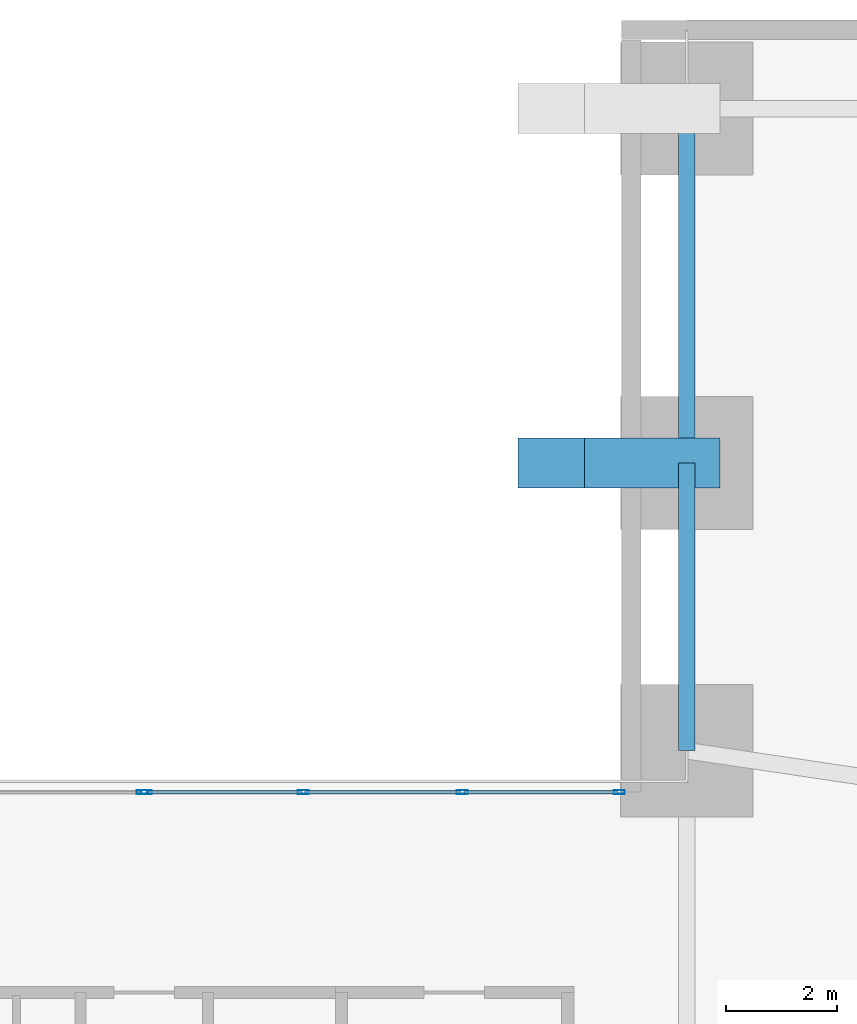
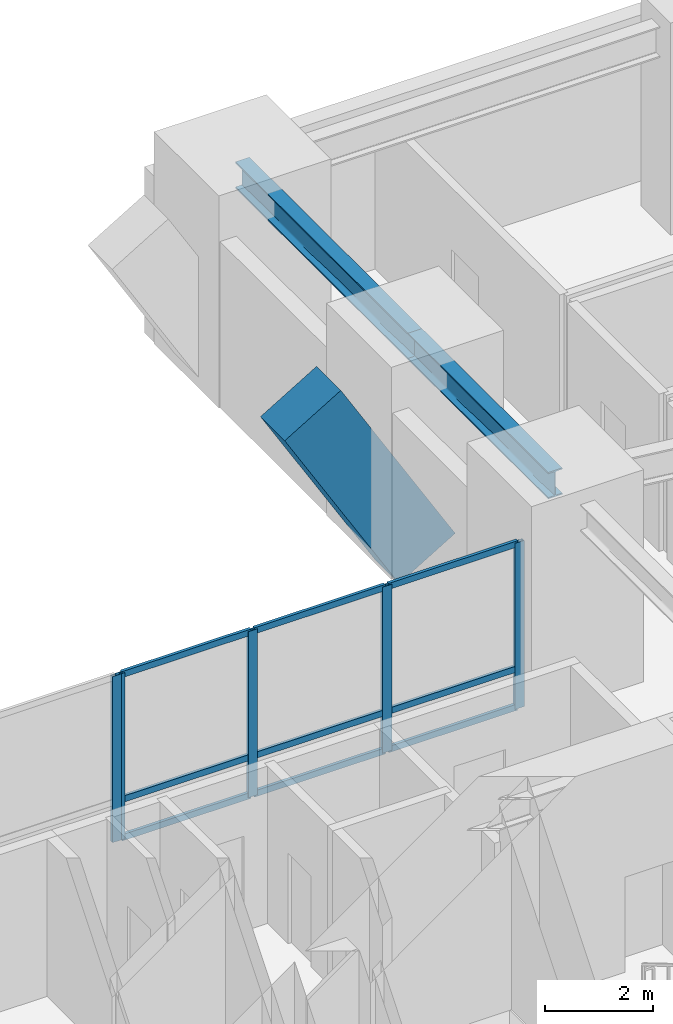
# One storey, part 8 of 14: 14 members, 3 beams, 2 elements without a shape of their own.
"""IFC4 building model written with IfcOpenShell, lengths in metres."""

from ifc_helpers import new_model, si_unit, direction, frame, origin, origin_2d, place, context, subcontext, project, spatial, rectangle, hollow_rectangle, i_section, extrude, material, layer, layer_set, material_profile, profile_set, type_object, element, aggregate, save


model = new_model("IFC4")

# Units and contexts
model_context = context("Model", 3, precision=1e-05, world=origin(), true_north=direction((0.0, 1.0)))
body_context = subcontext(model_context, "Body", "Model", "MODEL_VIEW")
ifc_project = project(units=[si_unit("LENGTHUNIT", "METRE"), si_unit("AREAUNIT", "SQUARE_METRE"), si_unit("VOLUMEUNIT", "CUBIC_METRE"), si_unit("PLANEANGLEUNIT", "RADIAN"), si_unit("MASSUNIT", "GRAM", prefix="KILO"), si_unit("THERMODYNAMICTEMPERATUREUNIT", "KELVIN"), si_unit("POWERUNIT", "WATT")], contexts=[model_context])

# Site, building, storey
site_placement = place(None, origin())
site = spatial("IfcSite", under=ifc_project, at=site_placement, CompositionType="ELEMENT")
building_placement = place(site_placement, origin())
building = spatial("IfcBuilding", under=site, at=building_placement, Name="Ocrelia Relay Tower", CompositionType="ELEMENT")
storey_placement = place(building_placement, frame((0.0, 0.0, 5.39990234375)))
storey = spatial("IfcBuildingStorey", under=building, at=storey_placement, Name="L01", CompositionType="ELEMENT", Elevation=5.39990234375)

# Beams
ifc_material_1 = material(Name="Concrete C70/85", Category="concrete")
ifc_material_profile_1 = material_profile(ifc_material_1, rectangle(XDim=0.89990234375, YDim=1.39990234375, at=origin_2d()), Name="RC-BM-900x1400")
ifc_profile_set_1 = profile_set([ifc_material_profile_1], Name="Concrete C70/85")
beam_type_1 = type_object("IfcBeamType", Name="BM-ARCH-RIB", PredefinedType="USERDEFINED", material=ifc_profile_set_1)
beam_1_placement = place(storey_placement, frame((41.35009765625, 44.0, 3.69287109375), z_axis=(0.513614846674, 0.0, -0.858020855968), x_axis=(0.0, 1.0, 0.0)))
element("IfcBeam", 1, at=beam_1_placement, inside=storey, type_object=beam_type_1, Name="Monumental Portal Arch Rib N2 Seg 8", ObjectType="PORTAL ARCH", PredefinedType="USERDEFINED", context=body_context, shape_type="SweptSolid", body=[
    extrude(rectangle(XDim=0.89990234375, YDim=1.39990234375, at=origin_2d()), origin(), (0.0, 0.0, 1.0), 4.77001953125),
])
ifc_material_2 = material(Name="Steel S355", Category="steel")
ifc_material_profile_2 = material_profile(ifc_material_2, i_section(OverallWidth=0.300048828125, OverallDepth=0.60009765625, WebThickness=0.015380859375, FlangeThickness=0.030029296875, FilletRadius=0.027099609375, at=origin_2d()), Name="HEB 600")
ifc_profile_set_2 = profile_set([ifc_material_profile_2], Name="Steel S355")
beam_type_2 = type_object("IfcBeamType", Name="BM-HEB600", PredefinedType="BEAM", material=ifc_profile_set_2)
beam_2_placement = place(storey_placement, frame((43.800048828125, 38.800048828125, 4.18017578125), z_axis=(0.0, 1.0, 0.0), x_axis=(-1.0, 0.0, 0.0)))
element("IfcBeam", 2, at=beam_2_placement, inside=storey, type_object=beam_type_2, Name="L01 Pier Line Tie Girder AE-4", PredefinedType="BEAM", context=body_context, shape_type="SweptSolid", body=[
    extrude(i_section(OverallWidth=0.300048828125, OverallDepth=0.60009765625, WebThickness=0.015380859375, FlangeThickness=0.030029296875, FilletRadius=0.027099609375, at=origin_2d()), origin(), (0.0, 0.0, 1.0), 5.199951171875),
])
beam_3_placement = place(storey_placement, frame((43.800048828125, 44.0, 4.18017578125), z_axis=(0.0, 1.0, 0.0), x_axis=(-1.0, 0.0, 0.0)))
element("IfcBeam", 3, at=beam_3_placement, inside=storey, type_object=beam_type_2, Name="L01 Pier Line Tie Girder AE-5", PredefinedType="BEAM", context=body_context, shape_type="SweptSolid", body=[
    extrude(i_section(OverallWidth=0.300048828125, OverallDepth=0.60009765625, WebThickness=0.015380859375, FlangeThickness=0.030029296875, FilletRadius=0.027099609375, at=origin_2d()), origin(), (0.0, 0.0, 1.0), 6.39990234375),
])

# Curtain wall, member
ifc_material_3 = material(Name="Aluminium and solar-control low-E glass", Category="aluminium")
ifc_layer = layer(ifc_material_3, 0.179931640625, Name="Aluminium and solar-control low-E glass")
ifc_layer_set = layer_set([ifc_layer], Name="Aluminium and solar-control low-E glass")
curtain_wall_type = type_object("IfcCurtainWallType", Name="CW-SYS-POD-ARCH", PredefinedType="NOTDEFINED", material=ifc_layer_set)
curtain_wall_1_placement = place(storey_placement, origin())
curtain_wall_1 = element("IfcCurtainWall", 4, at=curtain_wall_1_placement, inside=storey, type_object=curtain_wall_type, Name="L01 North Portal Concourse Glazed Screen West", PredefinedType="NOTDEFINED")
ifc_material_4 = material(Name="Anodised bronze aluminium", Category="aluminium")
ifc_material_profile_3 = material_profile(ifc_material_4, hollow_rectangle(XDim=0.074951171875, YDim=0.199951171875, WallThickness=0.006103515625, at=origin_2d()), Name="CW-MUL-200x75")
ifc_profile_set_3 = profile_set([ifc_material_profile_3], Name="Anodised bronze aluminium")
member_type_1 = type_object("IfcMemberType", Name="CW-SYS-POD-ARCH-MUL", PredefinedType="MULLION", material=ifc_profile_set_3)
member_1_placement = place(storey_placement, frame((33.96240234375, 38.050048828125, 0.0), z_axis=(0.0, 0.0, 1.0), x_axis=(0.0, 1.0, 0.0)))
member_1 = element("IfcMember", 5, at=member_1_placement, type_object=member_type_1, Name="CW-PA mullion 4", PredefinedType="MULLION", context=body_context, shape_type="SweptSolid", body=[
    extrude(hollow_rectangle(XDim=0.074951171875, YDim=0.199951171875, WallThickness=0.006103515625, at=origin_2d()), origin(), (0.0, 0.0, 1.0), 3.760009765625),
])
aggregate(curtain_wall_1, [member_1])

# Curtain wall, members
curtain_wall_2_placement = place(storey_placement, origin())
curtain_wall_2 = element("IfcCurtainWall", 6, at=curtain_wall_2_placement, inside=storey, type_object=curtain_wall_type, Name="L01 North Portal Concourse Glazed Screen East", PredefinedType="NOTDEFINED")
member_2_placement = place(storey_placement, frame((34.03759765625, 38.050048828125, 0.0), z_axis=(0.0, 0.0, 1.0), x_axis=(0.0, 1.0, 0.0)))
member_2 = element("IfcMember", 7, at=member_2_placement, type_object=member_type_1, Name="CW-PA mullion 1", PredefinedType="MULLION", context=body_context, shape_type="SweptSolid", body=[
    extrude(hollow_rectangle(XDim=0.074951171875, YDim=0.199951171875, WallThickness=0.006103515625, at=origin_2d()), origin(), (0.0, 0.0, 1.0), 3.760009765625),
])
member_3_placement = place(storey_placement, frame((36.873291015625, 38.050048828125, 0.0), z_axis=(0.0, 0.0, 1.0), x_axis=(0.0, 1.0, 0.0)))
member_3 = element("IfcMember", 8, at=member_3_placement, type_object=member_type_1, Name="CW-PA mullion 2", PredefinedType="MULLION", context=body_context, shape_type="SweptSolid", body=[
    extrude(hollow_rectangle(XDim=0.074951171875, YDim=0.199951171875, WallThickness=0.006103515625, at=origin_2d()), origin(), (0.0, 0.0, 1.0), 3.760009765625),
])
member_4_placement = place(storey_placement, frame((39.74658203125, 38.050048828125, 0.0), z_axis=(0.0, 0.0, 1.0), x_axis=(0.0, 1.0, 0.0)))
member_4 = element("IfcMember", 9, at=member_4_placement, type_object=member_type_1, Name="CW-PA mullion 3", PredefinedType="MULLION", context=body_context, shape_type="SweptSolid", body=[
    extrude(hollow_rectangle(XDim=0.074951171875, YDim=0.199951171875, WallThickness=0.006103515625, at=origin_2d()), origin(), (0.0, 0.0, 1.0), 3.760009765625),
])
member_5_placement = place(storey_placement, frame((42.58251953125, 38.050048828125, 0.0), z_axis=(0.0, 0.0, 1.0), x_axis=(0.0, 1.0, 0.0)))
member_5 = element("IfcMember", 10, at=member_5_placement, type_object=member_type_1, Name="CW-PA mullion 4", PredefinedType="MULLION", context=body_context, shape_type="SweptSolid", body=[
    extrude(hollow_rectangle(XDim=0.074951171875, YDim=0.199951171875, WallThickness=0.006103515625, at=origin_2d()), origin(), (0.0, 0.0, 1.0), 3.760009765625),
])
ifc_material_profile_4 = material_profile(ifc_material_4, hollow_rectangle(XDim=0.06494140625, YDim=0.139892578125, WallThickness=0.0048828125, at=origin_2d()), Name="CW-TRN-140x65")
ifc_profile_set_4 = profile_set([ifc_material_profile_4], Name="Anodised bronze aluminium")
member_type_2 = type_object("IfcMemberType", Name="CW-SYS-POD-ARCH-TRN", PredefinedType="USERDEFINED", material=ifc_profile_set_4)
member_6_placement = place(storey_placement, frame((34.074951171875, 38.050048828125, 0.03271484375), z_axis=(1.0, 0.0, 0.0), x_axis=(0.0, 1.0, 0.0)))
member_6 = element("IfcMember", 11, at=member_6_placement, type_object=member_type_2, Name="CW-PA transom 1.1", ObjectType="TRANSOM", PredefinedType="USERDEFINED", context=body_context, shape_type="SweptSolid", body=[
    extrude(hollow_rectangle(XDim=0.06494140625, YDim=0.139892578125, WallThickness=0.0048828125, at=origin_2d()), origin(), (0.0, 0.0, 1.0), 2.760986328125),
])
member_7_placement = place(storey_placement, frame((34.074951171875, 38.050048828125, 0.900146484375), z_axis=(1.0, 0.0, 0.0), x_axis=(0.0, 1.0, 0.0)))
member_7 = element("IfcMember", 12, at=member_7_placement, type_object=member_type_2, Name="CW-PA transom 1.2", ObjectType="TRANSOM", PredefinedType="USERDEFINED", context=body_context, shape_type="SweptSolid", body=[
    extrude(hollow_rectangle(XDim=0.06494140625, YDim=0.139892578125, WallThickness=0.0048828125, at=origin_2d()), origin(), (0.0, 0.0, 1.0), 2.760986328125),
])
member_8_placement = place(storey_placement, frame((34.074951171875, 38.050048828125, 3.7275390625), z_axis=(1.0, 0.0, 0.0), x_axis=(0.0, 1.0, 0.0)))
member_8 = element("IfcMember", 13, at=member_8_placement, type_object=member_type_2, Name="CW-PA transom 1.3", ObjectType="TRANSOM", PredefinedType="USERDEFINED", context=body_context, shape_type="SweptSolid", body=[
    extrude(hollow_rectangle(XDim=0.06494140625, YDim=0.139892578125, WallThickness=0.0048828125, at=origin_2d()), origin(), (0.0, 0.0, 1.0), 2.760986328125),
])
member_9_placement = place(storey_placement, frame((36.910888671875, 38.050048828125, 0.03271484375), z_axis=(1.0, 0.0, 0.0), x_axis=(0.0, 1.0, 0.0)))
member_9 = element("IfcMember", 14, at=member_9_placement, type_object=member_type_2, Name="CW-PA transom 2.1", ObjectType="TRANSOM", PredefinedType="USERDEFINED", context=body_context, shape_type="SweptSolid", body=[
    extrude(hollow_rectangle(XDim=0.06494140625, YDim=0.139892578125, WallThickness=0.0048828125, at=origin_2d()), origin(), (0.0, 0.0, 1.0), 2.79833984375),
])
member_10_placement = place(storey_placement, frame((36.910888671875, 38.050048828125, 0.900146484375), z_axis=(1.0, 0.0, 0.0), x_axis=(0.0, 1.0, 0.0)))
member_10 = element("IfcMember", 15, at=member_10_placement, type_object=member_type_2, Name="CW-PA transom 2.2", ObjectType="TRANSOM", PredefinedType="USERDEFINED", context=body_context, shape_type="SweptSolid", body=[
    extrude(hollow_rectangle(XDim=0.06494140625, YDim=0.139892578125, WallThickness=0.0048828125, at=origin_2d()), origin(), (0.0, 0.0, 1.0), 2.79833984375),
])
member_11_placement = place(storey_placement, frame((36.910888671875, 38.050048828125, 3.7275390625), z_axis=(1.0, 0.0, 0.0), x_axis=(0.0, 1.0, 0.0)))
member_11 = element("IfcMember", 16, at=member_11_placement, type_object=member_type_2, Name="CW-PA transom 2.3", ObjectType="TRANSOM", PredefinedType="USERDEFINED", context=body_context, shape_type="SweptSolid", body=[
    extrude(hollow_rectangle(XDim=0.06494140625, YDim=0.139892578125, WallThickness=0.0048828125, at=origin_2d()), origin(), (0.0, 0.0, 1.0), 2.79833984375),
])
member_12_placement = place(storey_placement, frame((39.7841796875, 38.050048828125, 0.03271484375), z_axis=(1.0, 0.0, 0.0), x_axis=(0.0, 1.0, 0.0)))
member_12 = element("IfcMember", 17, at=member_12_placement, type_object=member_type_2, Name="CW-PA transom 3.1", ObjectType="TRANSOM", PredefinedType="USERDEFINED", context=body_context, shape_type="SweptSolid", body=[
    extrude(hollow_rectangle(XDim=0.06494140625, YDim=0.139892578125, WallThickness=0.0048828125, at=origin_2d()), origin(), (0.0, 0.0, 1.0), 2.7607421875),
])
member_13_placement = place(storey_placement, frame((39.7841796875, 38.050048828125, 0.900146484375), z_axis=(1.0, 0.0, 0.0), x_axis=(0.0, 1.0, 0.0)))
member_13 = element("IfcMember", 18, at=member_13_placement, type_object=member_type_2, Name="CW-PA transom 3.2", ObjectType="TRANSOM", PredefinedType="USERDEFINED", context=body_context, shape_type="SweptSolid", body=[
    extrude(hollow_rectangle(XDim=0.06494140625, YDim=0.139892578125, WallThickness=0.0048828125, at=origin_2d()), origin(), (0.0, 0.0, 1.0), 2.7607421875),
])
member_14_placement = place(storey_placement, frame((39.7841796875, 38.050048828125, 3.7275390625), z_axis=(1.0, 0.0, 0.0), x_axis=(0.0, 1.0, 0.0)))
member_14 = element("IfcMember", 19, at=member_14_placement, type_object=member_type_2, Name="CW-PA transom 3.3", ObjectType="TRANSOM", PredefinedType="USERDEFINED", context=body_context, shape_type="SweptSolid", body=[
    extrude(hollow_rectangle(XDim=0.06494140625, YDim=0.139892578125, WallThickness=0.0048828125, at=origin_2d()), origin(), (0.0, 0.0, 1.0), 2.7607421875),
])
aggregate(curtain_wall_2, [member_2, member_3, member_4, member_5, member_6, member_7, member_8, member_9, member_10, member_11, member_12, member_13, member_14])

save(model, "model.ifc")
